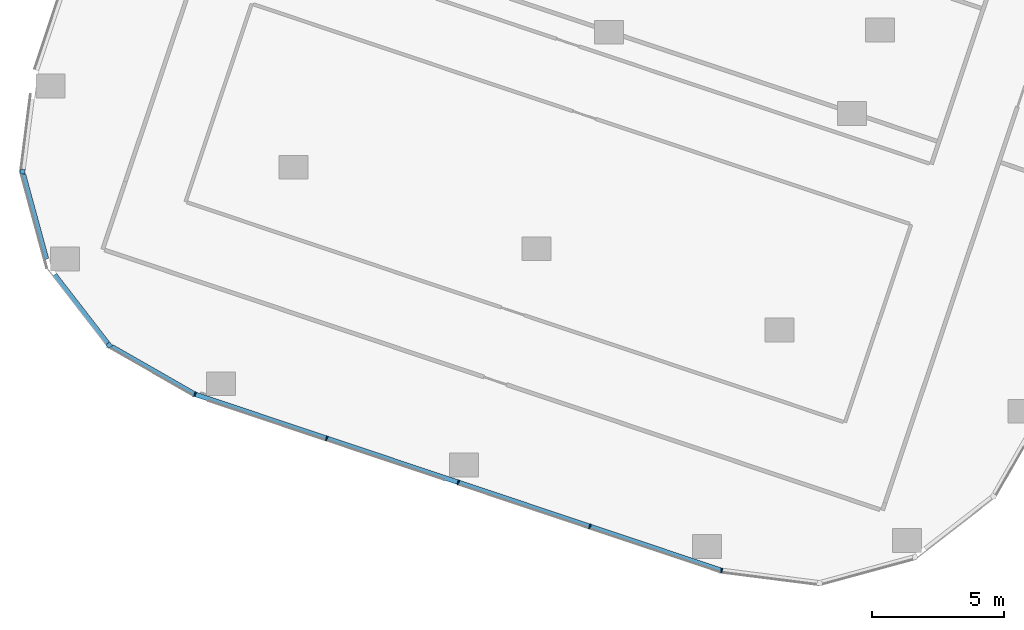
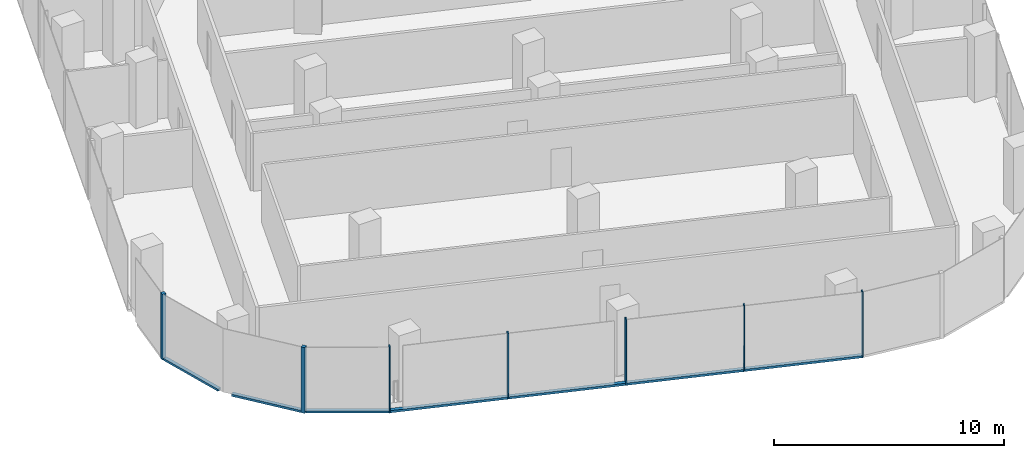
# One storey, part 2 of 32: 11 members, 5 elements without a shape of their own.
"""IFC4 building model written with IfcOpenShell, lengths in metres."""

from ifc_helpers import new_model, si_unit, direction, frame, origin, origin_2d, place, context, subcontext, project, spatial, rectangle, extrude, material, material_profile, profile_set, type_object, element, aggregate, save


model = new_model("IFC4")

# Units and contexts
model_context = context("Model", 3, precision=1e-05, world=origin(), true_north=direction((0.0, 1.0)))
body_context = subcontext(model_context, "Body", "Model", "MODEL_VIEW")
ifc_project = project(units=[si_unit("LENGTHUNIT", "METRE"), si_unit("AREAUNIT", "SQUARE_METRE"), si_unit("VOLUMEUNIT", "CUBIC_METRE"), si_unit("PLANEANGLEUNIT", "RADIAN"), si_unit("MASSUNIT", "GRAM", prefix="KILO")], contexts=[model_context])

# Site, building, storey
site_placement = place(None, origin())
site = spatial("IfcSite", under=ifc_project, at=site_placement, CompositionType="ELEMENT")
building_placement = place(site_placement, origin())
building = spatial("IfcBuilding", under=site, at=building_placement, Name="Orlundy Tower", CompositionType="ELEMENT")
storey_placement = place(building_placement, frame((0.0, 0.0, 152.60009765625)))
storey = spatial("IfcBuildingStorey", under=building, at=storey_placement, Name="L39", CompositionType="ELEMENT", Elevation=152.60009765625)

# Curtain wall, member
ifc_material_1 = material(Name="Aluminium bronze anodised", Category="aluminium")
curtain_wall_type = type_object("IfcCurtainWallType", Name="CW1 wall", PredefinedType="NOTDEFINED", material=ifc_material_1)
curtain_wall_1_placement = place(storey_placement, origin())
curtain_wall_1 = element("IfcCurtainWall", 1, at=curtain_wall_1_placement, inside=storey, type_object=curtain_wall_type, Name="CW1 run 09", PredefinedType="NOTDEFINED")
ifc_material_2 = material(Name="Aluminium bronze anodised", Category="aluminium")
ifc_material_profile_1 = material_profile(ifc_material_2, rectangle(XDim=0.179931640625, YDim=0.179931640625, at=origin_2d()), Name="CW1 corner post 180x180")
ifc_profile_set_1 = profile_set([ifc_material_profile_1], Name="Aluminium bronze anodised")
member_type_1 = type_object("IfcMemberType", Name="CW1 corner post 180x180", PredefinedType="MULLION", material=ifc_profile_set_1)
member_1_placement = place(storey_placement, frame((-32.115234375, -51.3232421875, -0.400146484375), z_axis=(0.0, 0.0, 1.0), x_axis=(-0.790614183516, -0.61231463548, 0.0)))
member_1 = element("IfcMember", 2, at=member_1_placement, type_object=member_type_1, Name="CW1 mullion 23", PredefinedType="MULLION", context=body_context, shape_type="SweptSolid", body=[
    extrude(rectangle(XDim=0.179931640625, YDim=0.179931640625, at=origin_2d()), origin(), (0.0, 0.0, 1.0), 3.5),
])

curtain_wall_2_placement = place(storey_placement, origin())
curtain_wall_2 = element("IfcCurtainWall", 3, at=curtain_wall_2_placement, inside=storey, type_object=curtain_wall_type, Name="CW1 run 011", PredefinedType="NOTDEFINED")
member_2_placement = place(storey_placement, frame((-35.390625, -44.75341796875, -0.400146484375), z_axis=(0.0, 0.0, 1.0), x_axis=(-0.992031053136, 0.125993609416, 0.0)))
member_2 = element("IfcMember", 4, at=member_2_placement, type_object=member_type_1, Name="CW1 mullion 25", PredefinedType="MULLION", context=body_context, shape_type="SweptSolid", body=[
    extrude(rectangle(XDim=0.179931640625, YDim=0.179931640625, at=origin_2d()), origin(), (0.0, 0.0, 1.0), 3.5),
])
aggregate(curtain_wall_2, [member_2])

# Curtain wall, members
curtain_wall_3_placement = place(storey_placement, origin())
curtain_wall_3 = element("IfcCurtainWall", 5, at=curtain_wall_3_placement, inside=storey, type_object=curtain_wall_type, Name="CW1 run 07", PredefinedType="NOTDEFINED")
ifc_material_3 = material(Name="Aluminium bronze anodised", Category="aluminium")
ifc_material_profile_2 = material_profile(ifc_material_3, rectangle(XDim=0.179931640625, YDim=0.050048828125, at=origin_2d()), Name="CW1 mullion 50x180")
ifc_profile_set_2 = profile_set([ifc_material_profile_2], Name="Aluminium bronze anodised")
member_type_2 = type_object("IfcMemberType", Name="CW1 mullion 50x180", PredefinedType="MULLION", material=ifc_profile_set_2)
member_3_placement = place(storey_placement, frame((-8.942138671875, -59.84521484375, -0.400146484375), z_axis=(0.0, 0.0, 1.0), x_axis=(-0.222844071431, -0.974854101816, 0.0)))
member_3 = element("IfcMember", 6, at=member_3_placement, type_object=member_type_2, Name="CW1 mullion 18", PredefinedType="MULLION", context=body_context, shape_type="SweptSolid", body=[
    extrude(rectangle(XDim=0.179931640625, YDim=0.050048828125, at=origin_2d()), origin(), (0.0, 0.0, 1.0), 3.5),
])
member_4_placement = place(storey_placement, frame((-13.92919921875, -58.176513671875, -0.400146484375), z_axis=(0.0, 0.0, 1.0), x_axis=(-0.317284709186, -0.948330329219, 0.0)))
member_4 = element("IfcMember", 7, at=member_4_placement, type_object=member_type_2, Name="CW1 mullion 19", PredefinedType="MULLION", context=body_context, shape_type="SweptSolid", body=[
    extrude(rectangle(XDim=0.179931640625, YDim=0.050048828125, at=origin_2d()), origin(), (0.0, 0.0, 1.0), 3.5),
])
member_5_placement = place(storey_placement, frame((-18.907958984375, -56.5107421875, -0.400146484375), z_axis=(0.0, 0.0, 1.0), x_axis=(-0.317284709186, -0.948330329219, 0.0)))
member_5 = element("IfcMember", 8, at=member_5_placement, type_object=member_type_2, Name="CW1 mullion 20", PredefinedType="MULLION", context=body_context, shape_type="SweptSolid", body=[
    extrude(rectangle(XDim=0.179931640625, YDim=0.050048828125, at=origin_2d()), origin(), (0.0, 0.0, 1.0), 3.5),
])
member_6_placement = place(storey_placement, frame((-23.88671875, -54.84521484375, -0.400146484375), z_axis=(0.0, 0.0, 1.0), x_axis=(-0.317284709186, -0.948330329219, 0.0)))
member_6 = element("IfcMember", 9, at=member_6_placement, type_object=member_type_2, Name="CW1 mullion 21", PredefinedType="MULLION", context=body_context, shape_type="SweptSolid", body=[
    extrude(rectangle(XDim=0.179931640625, YDim=0.050048828125, at=origin_2d()), origin(), (0.0, 0.0, 1.0), 3.5),
])

# Curtain wall, member
curtain_wall_4_placement = place(storey_placement, origin())
curtain_wall_4 = element("IfcCurtainWall", 10, at=curtain_wall_4_placement, inside=storey, type_object=curtain_wall_type, Name="CW1 run 08", PredefinedType="NOTDEFINED")
member_7_placement = place(storey_placement, frame((-28.8740234375, -53.176513671875, -0.400146484375), z_axis=(0.0, 0.0, 1.0), x_axis=(-0.408800504926, -0.912623770878, 0.0)))
member_7 = element("IfcMember", 11, at=member_7_placement, type_object=member_type_2, Name="CW1 mullion 22", PredefinedType="MULLION", context=body_context, shape_type="SweptSolid", body=[
    extrude(rectangle(XDim=0.179931640625, YDim=0.050048828125, at=origin_2d()), origin(), (0.0, 0.0, 1.0), 3.5),
])

# Member
ifc_material_4 = material(Name="Aluminium bronze anodised", Category="aluminium")
ifc_material_profile_3 = material_profile(ifc_material_4, rectangle(XDim=0.179931640625, YDim=0.1201171875, at=origin_2d()), Name="CW1 transom 180x120")
ifc_profile_set_3 = profile_set([ifc_material_profile_3], Name="Aluminium bronze anodised")
member_type_3 = type_object("IfcMemberType", Name="CW1 transom 180x120", PredefinedType="USERDEFINED", material=ifc_profile_set_3)
member_8_placement = place(storey_placement, frame((-8.966064453125, -59.837158203125, -0.340087890625), z_axis=(-0.948331068093, 0.317282500761, 0.0), x_axis=(-0.317282500761, -0.948331068093, 0.0)))
member_8 = element("IfcMember", 12, at=member_8_placement, type_object=member_type_3, Name="CW1 transom", ObjectType="TRANSOM", PredefinedType="USERDEFINED", context=body_context, shape_type="SweptSolid", body=[
    extrude(rectangle(XDim=0.179931640625, YDim=0.1201171875, at=origin_2d()), origin(), (0.0, 0.0, 1.0), 20.96728515625),
])

aggregate(curtain_wall_3, [member_3, member_4, member_5, member_6, member_8])

member_9_placement = place(storey_placement, frame((-28.895751953125, -53.1640625, -0.340087890625), z_axis=(-0.868118305062, 0.496357339441, 0.0), x_axis=(-0.496357339441, -0.868118305062, 0.0)))
member_9 = element("IfcMember", 13, at=member_9_placement, type_object=member_type_3, Name="CW1 transom", ObjectType="TRANSOM", PredefinedType="USERDEFINED", context=body_context, shape_type="SweptSolid", body=[
    extrude(rectangle(XDim=0.179931640625, YDim=0.1201171875, at=origin_2d()), origin(), (0.0, 0.0, 1.0), 3.611328125),
])

aggregate(curtain_wall_4, [member_7, member_9])

member_10_placement = place(storey_placement, frame((-32.17041015625, -51.252197265625, -0.340087890625), z_axis=(-0.612276659315, 0.790643593826, 0.0), x_axis=(-0.790643593826, -0.612276659315, 0.0)))
member_10 = element("IfcMember", 14, at=member_10_placement, type_object=member_type_3, Name="CW1 transom", ObjectType="TRANSOM", PredefinedType="USERDEFINED", context=body_context, shape_type="SweptSolid", body=[
    extrude(rectangle(XDim=0.179931640625, YDim=0.1201171875, at=origin_2d()), origin(), (0.0, 0.0, 1.0), 3.28369140625),
])

aggregate(curtain_wall_1, [member_1, member_10])

# Curtain wall, member
curtain_wall_5_placement = place(storey_placement, origin())
curtain_wall_5 = element("IfcCurtainWall", 15, at=curtain_wall_5_placement, inside=storey, type_object=curtain_wall_type, Name="CW1 run 010", PredefinedType="NOTDEFINED")
member_11_placement = place(storey_placement, frame((-34.488037109375, -48.067138671875, -0.340087890625), z_axis=(-0.262795481313, 0.964851561123, 0.0), x_axis=(-0.964851561123, -0.262795481313, 0.0)))
member_11 = element("IfcMember", 16, at=member_11_placement, type_object=member_type_3, Name="CW1 transom", ObjectType="TRANSOM", PredefinedType="USERDEFINED", context=body_context, shape_type="SweptSolid", body=[
    extrude(rectangle(XDim=0.179931640625, YDim=0.1201171875, at=origin_2d()), origin(), (0.0, 0.0, 1.0), 3.3369140625),
])
aggregate(curtain_wall_5, [member_11])

save(model, "model.ifc")
